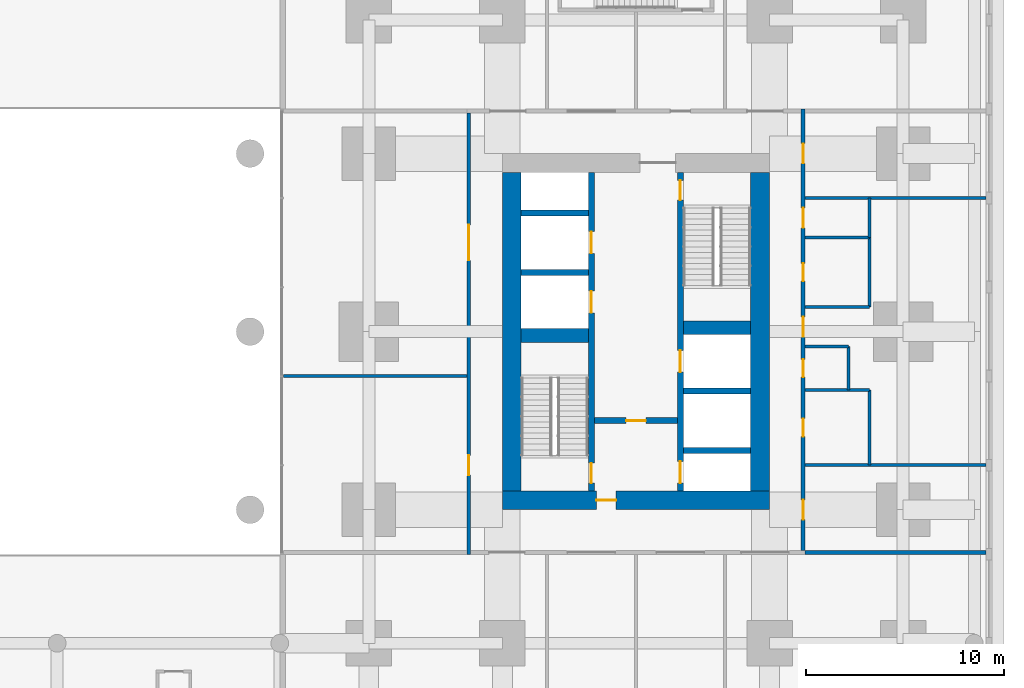
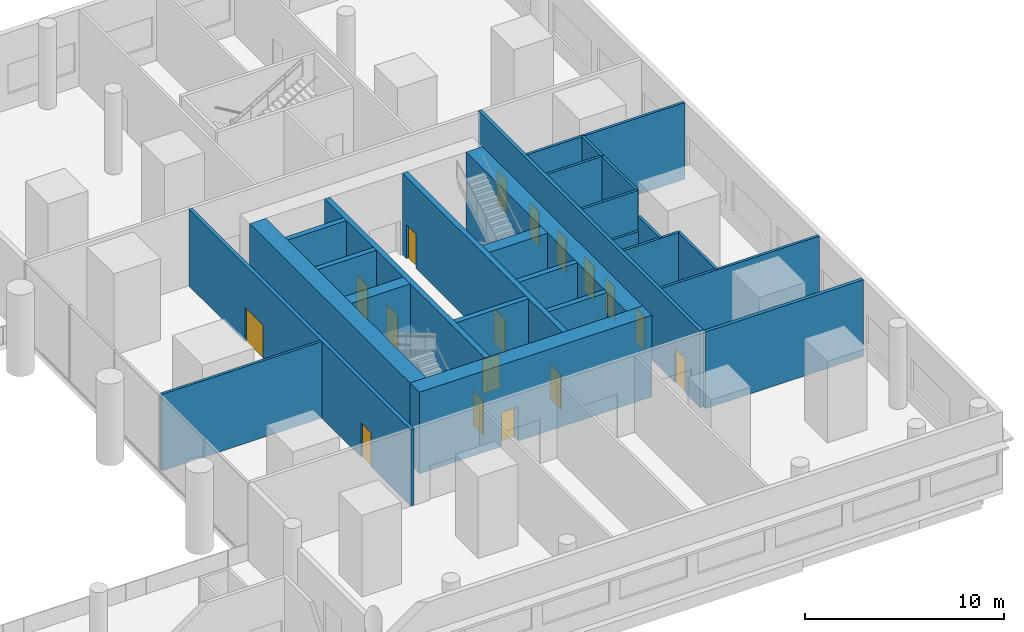
# One storey, part 15 of 20: 26 walls, 17 doors, 17 openings.
"""IFC4 building model written with IfcOpenShell, lengths in metres."""

import ifcopenshell
import ifcopenshell.guid

model = None  # the IFC model being written
_history = None  # IfcOwnerHistory: only IFC2X3 demands one
_inside = {}  # id of a spatial element -> (the spatial element, [elements in it])
_under = {}  # id of a project, library or spatial element -> (it, [spatial elements below it])
_declared = {}  # id of a project -> (the project, [libraries it declares])
_typed = {}  # id of a type object -> (the type object, [elements of that type])
_made_of = {}  # id of a material, layer set ... -> (it, [elements and type objects made of it])


def new_model(schema):
    """Start an empty IFC model of exactly this schema.

    Asked for "IFC4X3", IfcOpenShell would pick the latest addendum, in which some entities
    have other attributes; the version numbers below select the first issue.
    IFC2X3 requires an IfcOwnerHistory on every rooted entity: one is made here for all.
    """
    global model, _history
    if schema == "IFC4X3":
        model = ifcopenshell.file(schema_version=(4, 3, 0, 0))
    else:
        model = ifcopenshell.file(schema=schema)
    _inside.clear()
    _under.clear()
    _declared.clear()
    _typed.clear()
    _made_of.clear()
    _history = None
    if model.schema == "IFC2X3":
        org = make("IfcOrganization", Name="unknown")
        user = make(
            "IfcPersonAndOrganization",
            ThePerson=make("IfcPerson", FamilyName="unknown"),
            TheOrganization=org,
        )
        app = make(
            "IfcApplication",
            ApplicationDeveloper=org,
            Version="unknown",
            ApplicationFullName="unknown",
            ApplicationIdentifier="unknown",
        )
        _history = make(
            "IfcOwnerHistory",
            OwningUser=user,
            OwningApplication=app,
            ChangeAction="ADDED",
            CreationDate=0,
        )
    return model


def make(cls, **values):
    """One entity of the class cls with the attributes given. An attribute that is None is left unset."""
    return model.create_entity(
        cls, **{name: value for name, value in values.items() if value is not None}
    )


def rooted(cls, **values):
    """An entity with a GlobalId (a new one), such as an element, a storey or a relation."""
    return make(cls, GlobalId=ifcopenshell.guid.new(), OwnerHistory=_history, **values)


def si_unit(unit_type, name, prefix=None):
    """IfcSIUnit, for example si_unit("LENGTHUNIT", "METRE", prefix="MILLI")."""
    return make("IfcSIUnit", UnitType=unit_type, Prefix=prefix, Name=name)


def assignment(units):
    """IfcUnitAssignment: the units of a project."""
    return None if units is None else make("IfcUnitAssignment", Units=units)


def point(xyz):
    """IfcCartesianPoint."""
    return None if xyz is None else make("IfcCartesianPoint", Coordinates=xyz)


def direction(xyz):
    """IfcDirection."""
    return None if xyz is None else make("IfcDirection", DirectionRatios=xyz)


def frame(location, z_axis=None, x_axis=None):
    """IfcAxis2Placement3D, a coordinate frame: its origin and axes. An axis left out is left unset."""
    return make(
        "IfcAxis2Placement3D",
        Location=point(location),
        Axis=direction(z_axis),
        RefDirection=direction(x_axis),
    )


def frame_2d(location, x_axis=None):
    """IfcAxis2Placement2D, a coordinate frame in the plane: its origin and x axis."""
    return make(
        "IfcAxis2Placement2D", Location=point(location), RefDirection=direction(x_axis)
    )


def origin():
    """The frame at (0, 0, 0) with its axes left unset."""
    return frame((0.0, 0.0, 0.0))


def place(relative_to, where):
    """IfcLocalPlacement: puts the frame where relative to a parent placement (None: the world)."""
    return make(
        "IfcLocalPlacement", PlacementRelTo=relative_to, RelativePlacement=where
    )


def context(
    kind, dimensions, precision=None, world=None, true_north=None, identifier=None
):
    """IfcGeometricRepresentationContext, for example the 3D "Model" context."""
    return make(
        "IfcGeometricRepresentationContext",
        ContextIdentifier=identifier,
        ContextType=kind,
        CoordinateSpaceDimension=dimensions,
        Precision=precision,
        WorldCoordinateSystem=world,
        TrueNorth=true_north,
    )


def subcontext(parent, identifier, kind, view, scale=None):
    """IfcGeometricRepresentationSubContext, for example "Body" below "Model"."""
    return make(
        "IfcGeometricRepresentationSubContext",
        ContextIdentifier=identifier,
        ContextType=kind,
        ParentContext=parent,
        TargetScale=scale,
        TargetView=view,
    )


def project(units=None, contexts=None):
    """IfcProject with its units and contexts."""
    return rooted(
        "IfcProject",
        Name="project",
        RepresentationContexts=contexts,
        UnitsInContext=assignment(units),
    )


def spatial(cls, under=None, at=None, **own):
    """A site, building, storey or space (cls), placed at a placement, below another one or the project."""
    s = rooted(cls, ObjectPlacement=at, **own)
    if under is not None:
        _under.setdefault(under.id(), (under, []))[1].append(s)
    return s


def profile(cls, at=None, kind="AREA", **sizes):
    """A parametric profile (cls). Its sizes go by their IFC names, for example OverallWidth=200.0."""
    return make(cls, ProfileType=kind, Position=at, **sizes)


def rectangle(**sizes):
    """IfcRectangleProfileDef."""
    return profile("IfcRectangleProfileDef", **sizes)


def extrude(swept, where, along, depth):
    """IfcExtrudedAreaSolid: the profile swept, set in the frame where, extruded along a direction by depth."""
    return make(
        "IfcExtrudedAreaSolid",
        SweptArea=swept,
        Position=where,
        ExtrudedDirection=direction(along),
        Depth=depth,
    )


def shape(context_of_items, identifier, shape_type, items):
    """IfcShapeRepresentation: the items that make up one representation, for example the "Body"."""
    return make(
        "IfcShapeRepresentation",
        ContextOfItems=context_of_items,
        RepresentationIdentifier=identifier,
        RepresentationType=shape_type,
        Items=items,
    )


def material(Name=None, Category=None):
    """IfcMaterial."""
    return make("IfcMaterial", Name=Name, Category=Category)


def layer(
    of_material, thickness, ventilated=None, Name=None, Category=None, Priority=None
):
    """IfcMaterialLayer: one layer of a wall or slab, of a material (None: an air gap)."""
    return make(
        "IfcMaterialLayer",
        Material=of_material,
        LayerThickness=thickness,
        IsVentilated=ventilated,
        Name=Name,
        Category=Category,
        Priority=Priority,
    )


def layer_set(layers, Name=None):
    """IfcMaterialLayerSet."""
    return make("IfcMaterialLayerSet", MaterialLayers=layers, LayerSetName=Name)


def made_of(thing, what):
    """Note that an element or type object is made of a material, layer set ...; save() writes the relation."""
    if what is not None:
        _made_of.setdefault(what.id(), (what, []))[1].append(thing)
    return thing


def type_object(cls, material=None, **own):
    """A type object (cls), such as IfcWallType, which elements share."""
    return made_of(rooted(cls, **own), material)


def element(
    cls,
    number,
    at=None,
    inside=None,
    cuts=None,
    type_object=None,
    material=None,
    context=None,
    identifier="Body",
    shape_type=None,
    held_by="IfcProductDefinitionShape",
    body=None,
    shapes=None,
    **own,
):
    """One element of the class cls, such as IfcWall. Its Tag is "e" and its number.

    at: its placement. inside: the storey or other place that contains it. cuts: it is an
    opening in that element (IfcRelVoidsElement). A single representation is given by context,
    identifier, shape_type and body (its items); several are given by shapes. held_by: the class
    of the entity that holds the representations. save() writes the other relations.
    """
    e = rooted(cls, Tag="e%d" % number, ObjectPlacement=at, **own)
    if body is not None:
        shapes = [shape(context, identifier, shape_type, body)]
    if shapes is not None:
        e.Representation = make(held_by, Representations=shapes)
    if inside is not None:
        _inside.setdefault(inside.id(), (inside, []))[1].append(e)
    if cuts is not None:
        rooted(
            "IfcRelVoidsElement", RelatingBuildingElement=cuts, RelatedOpeningElement=e
        )
    if type_object is not None:
        _typed.setdefault(type_object.id(), (type_object, []))[1].append(e)
    return made_of(e, material)


def fill(opening, filler):
    """IfcRelFillsElement: the door or window that sits in an opening."""
    return rooted(
        "IfcRelFillsElement",
        RelatingOpeningElement=opening,
        RelatedBuildingElement=filler,
    )


def aggregate(whole, parts):
    """IfcRelAggregates: a whole, such as a stair, and the parts it consists of."""
    return rooted("IfcRelAggregates", RelatingObject=whole, RelatedObjects=parts)


def save(model, path):
    """Write the relations noted so far, then the file.

    IfcRelAggregates (storeys below a building ...), IfcRelContainedInSpatialStructure (elements
    in a storey), IfcRelDefinesByType, IfcRelAssociatesMaterial and IfcRelDeclares: one each for
    every whole, place, type object, material and project.
    """
    for whole, parts in _under.values():
        aggregate(whole, parts)
    for where, things in _inside.values():
        rooted(
            "IfcRelContainedInSpatialStructure",
            RelatedElements=things,
            RelatingStructure=where,
        )
    for kind, things in _typed.values():
        rooted("IfcRelDefinesByType", RelatedObjects=things, RelatingType=kind)
    for what, things in _made_of.values():
        rooted("IfcRelAssociatesMaterial", RelatedObjects=things, RelatingMaterial=what)
    for by, libraries in _declared.values():
        rooted("IfcRelDeclares", RelatingContext=by, RelatedDefinitions=libraries)
    model.write(path)


model = new_model("IFC4")

# Units and contexts
model_context = context("Model", 3, precision=1e-05, world=origin(), true_north=direction((0.0, 1.0)))
body_context = subcontext(model_context, "Body", "Model", "MODEL_VIEW")
ifc_project = project(units=[si_unit("LENGTHUNIT", "METRE"), si_unit("AREAUNIT", "SQUARE_METRE"), si_unit("VOLUMEUNIT", "CUBIC_METRE"), si_unit("PLANEANGLEUNIT", "RADIAN"), si_unit("MASSUNIT", "GRAM", prefix="KILO")], contexts=[model_context])

# Site, building, storey
site_placement = place(None, origin())
site = spatial("IfcSite", under=ifc_project, at=site_placement, CompositionType="ELEMENT")
building_placement = place(site_placement, origin())
building = spatial("IfcBuilding", under=site, at=building_placement, Name="Namib Vertical Campus", CompositionType="ELEMENT")
storey_placement = place(building_placement, frame((0.0, 0.0, 16.0)))
storey = spatial("IfcBuildingStorey", under=building, at=storey_placement, Name="L03", CompositionType="ELEMENT", Elevation=16.0)

# Wall, openings, doors
ifc_material_1 = material(Name="Concrete C60/75", Category="concrete")
ifc_layer_1 = layer(ifc_material_1, 0.300048828125)
ifc_layer_set_1 = layer_set([ifc_layer_1], Name="Concrete C60/75")
wall_type_1 = type_object("IfcWallType", Name="Core inner wall 300", PredefinedType="SHEAR", material=ifc_layer_set_1)
wall_1_placement = place(storey_placement, frame((78.75, 12.199951171875, 0.0), z_axis=(0.0, 0.0, 1.0), x_axis=(0.0, 1.0, 0.0)))
wall_1 = element("IfcWall", 1, at=wall_1_placement, inside=storey, type_object=wall_type_1, Name="Core inner wall B L03 W1", PredefinedType="SHEAR", context=body_context, shape_type="SweptSolid", body=[
    extrude(rectangle(XDim=16.10009765625, YDim=0.300048828125, at=frame_2d((8.050048828125, 0.0))), origin(), (0.0, 0.0, 1.0), 5.0),
])
opening_1_placement = place(wall_1_placement, frame((0.39990234375, 0.0, 0.0)))
opening_1 = element("IfcOpeningElement", 2, at=opening_1_placement, cuts=wall_1, Name="Opening FD1", PredefinedType="OPENING", context=body_context, shape_type="SweptSolid", body=[
    extrude(rectangle(XDim=1.0, YDim=2.10009765625, at=frame_2d((0.5, 1.050048828125))), frame((0.0, 0.159912109375, 0.0), z_axis=(0.0, -1.0, 0.0), x_axis=(1.0, 0.0, 0.0)), (0.0, 0.0, 1.0), 0.320068359375),
])
opening_2_placement = place(wall_1_placement, frame((9.0, 0.0, 0.0)))
opening_2 = element("IfcOpeningElement", 3, at=opening_2_placement, cuts=wall_1, Name="Opening LD1", PredefinedType="OPENING", context=body_context, shape_type="SweptSolid", body=[
    extrude(rectangle(XDim=1.10009765625, YDim=2.10009765625, at=frame_2d((0.550048828125, 1.050048828125))), frame((0.0, 0.159912109375, 0.0), z_axis=(0.0, -1.0, 0.0), x_axis=(1.0, 0.0, 0.0)), (0.0, 0.0, 1.0), 0.320068359375),
])
opening_3_placement = place(wall_1_placement, frame((12.0, 0.0, 0.0)))
opening_3 = element("IfcOpeningElement", 4, at=opening_3_placement, cuts=wall_1, Name="Opening LD1", PredefinedType="OPENING", context=body_context, shape_type="SweptSolid", body=[
    extrude(rectangle(XDim=1.10009765625, YDim=2.10009765625, at=frame_2d((0.550048828125, 1.050048828125))), frame((0.0, 0.159912109375, 0.0), z_axis=(0.0, -1.0, 0.0), x_axis=(1.0, 0.0, 0.0)), (0.0, 0.0, 1.0), 0.320068359375),
])
ifc_material_2 = material(Name="Steel fire door", Category="steel")
door_type_1 = type_object("IfcDoorType", Name="Fire door 1000x2100", OperationType="SINGLE_SWING_RIGHT", PredefinedType="DOOR", material=ifc_material_2)
door_1_placement = place(opening_1_placement, origin())
door_1 = element("IfcDoor", 5, at=door_1_placement, inside=storey, type_object=door_type_1, Name="Stair door FD1 B L03 S1", OperationType="SINGLE_SWING_LEFT", OverallHeight=2.10009765625, OverallWidth=1.0, PredefinedType="DOOR", context=body_context, shape_type="SweptSolid", body=[
    extrude(rectangle(XDim=1.0, YDim=2.10009765625, at=frame_2d((0.5, 1.050048828125))), frame((0.0, 0.02490234375, 0.0), z_axis=(0.0, -1.0, 0.0), x_axis=(1.0, 0.0, 0.0)), (0.0, 0.0, 1.0), 0.050048828125),
])
fill(opening_1, door_1)
ifc_material_3 = material(Name="Stainless steel lift door", Category="steel")
door_type_2 = type_object("IfcDoorType", Name="Lift landing door 1100x2100", OperationType="DOUBLE_DOOR_SLIDING", PredefinedType="DOOR", material=ifc_material_3)
door_2_placement = place(opening_2_placement, origin())
door_2 = element("IfcDoor", 6, at=door_2_placement, inside=storey, type_object=door_type_2, Name="Lift landing door LD1 B-P1 L03", OperationType="DOUBLE_DOOR_SLIDING", OverallHeight=2.10009765625, OverallWidth=1.10009765625, PredefinedType="DOOR", context=body_context, shape_type="SweptSolid", body=[
    extrude(rectangle(XDim=1.10009765625, YDim=2.10009765625, at=frame_2d((0.550048828125, 1.050048828125))), frame((0.0, 0.02490234375, 0.0), z_axis=(0.0, -1.0, 0.0), x_axis=(1.0, 0.0, 0.0)), (0.0, 0.0, 1.0), 0.050048828125),
])
fill(opening_2, door_2)
door_3_placement = place(opening_3_placement, origin())
door_3 = element("IfcDoor", 7, at=door_3_placement, inside=storey, type_object=door_type_2, Name="Lift landing door LD1 B-P2 L03", OperationType="DOUBLE_DOOR_SLIDING", OverallHeight=2.10009765625, OverallWidth=1.10009765625, PredefinedType="DOOR", context=body_context, shape_type="SweptSolid", body=[
    extrude(rectangle(XDim=1.10009765625, YDim=2.10009765625, at=frame_2d((0.550048828125, 1.050048828125))), frame((0.0, 0.02490234375, 0.0), z_axis=(0.0, -1.0, 0.0), x_axis=(1.0, 0.0, 0.0)), (0.0, 0.0, 1.0), 0.050048828125),
])
fill(opening_3, door_3)

wall_2_placement = place(storey_placement, frame((83.25, 12.199951171875, 0.0), z_axis=(0.0, 0.0, 1.0), x_axis=(0.0, 1.0, 0.0)))
wall_2 = element("IfcWall", 8, at=wall_2_placement, inside=storey, type_object=wall_type_1, Name="Core inner wall B L03 W2", PredefinedType="SHEAR", context=body_context, shape_type="SweptSolid", body=[
    extrude(rectangle(XDim=16.10009765625, YDim=0.300048828125, at=frame_2d((8.050048828125, 0.0))), origin(), (0.0, 0.0, 1.0), 5.0),
])
opening_4_placement = place(wall_2_placement, frame((14.699951171875, 0.0, 0.0)))
opening_4 = element("IfcOpeningElement", 9, at=opening_4_placement, cuts=wall_2, Name="Opening FD1", PredefinedType="OPENING", context=body_context, shape_type="SweptSolid", body=[
    extrude(rectangle(XDim=1.0, YDim=2.10009765625, at=frame_2d((0.5, 1.050048828125))), frame((0.0, 0.159912109375, 0.0), z_axis=(0.0, -1.0, 0.0), x_axis=(1.0, 0.0, 0.0)), (0.0, 0.0, 1.0), 0.320068359375),
])
opening_5_placement = place(wall_2_placement, frame((0.39990234375, 0.0, 0.0)))
opening_5 = element("IfcOpeningElement", 10, at=opening_5_placement, cuts=wall_2, Name="Opening LD1", PredefinedType="OPENING", context=body_context, shape_type="SweptSolid", body=[
    extrude(rectangle(XDim=1.10009765625, YDim=2.10009765625, at=frame_2d((0.550048828125, 1.050048828125))), frame((0.0, 0.159912109375, 0.0), z_axis=(0.0, -1.0, 0.0), x_axis=(1.0, 0.0, 0.0)), (0.0, 0.0, 1.0), 0.320068359375),
])
opening_6_placement = place(wall_2_placement, frame((6.0, 0.0, 0.0)))
opening_6 = element("IfcOpeningElement", 11, at=opening_6_placement, cuts=wall_2, Name="Opening LD1", PredefinedType="OPENING", context=body_context, shape_type="SweptSolid", body=[
    extrude(rectangle(XDim=1.10009765625, YDim=2.10009765625, at=frame_2d((0.550048828125, 1.050048828125))), frame((0.0, 0.159912109375, 0.0), z_axis=(0.0, -1.0, 0.0), x_axis=(1.0, 0.0, 0.0)), (0.0, 0.0, 1.0), 0.320068359375),
])
door_4_placement = place(opening_4_placement, frame((1.0, 0.0, 0.0), z_axis=(0.0, 0.0, 1.0), x_axis=(-1.0, 0.0, 0.0)))
door_4 = element("IfcDoor", 12, at=door_4_placement, inside=storey, type_object=door_type_1, Name="Stair door FD1 B L03 S2", OperationType="SINGLE_SWING_LEFT", OverallHeight=2.10009765625, OverallWidth=1.0, PredefinedType="DOOR", context=body_context, shape_type="SweptSolid", body=[
    extrude(rectangle(XDim=1.0, YDim=2.10009765625, at=frame_2d((0.5, 1.050048828125))), frame((0.0, 0.02490234375, 0.0), z_axis=(0.0, -1.0, 0.0), x_axis=(1.0, 0.0, 0.0)), (0.0, 0.0, 1.0), 0.050048828125),
])
fill(opening_4, door_4)
door_5_placement = place(opening_5_placement, origin())
door_5 = element("IfcDoor", 13, at=door_5_placement, inside=storey, type_object=door_type_2, Name="Lift landing door LD1 B-FL1 L03", OperationType="DOUBLE_DOOR_SLIDING", OverallHeight=2.10009765625, OverallWidth=1.10009765625, PredefinedType="DOOR", context=body_context, shape_type="SweptSolid", body=[
    extrude(rectangle(XDim=1.10009765625, YDim=2.10009765625, at=frame_2d((0.550048828125, 1.050048828125))), frame((0.0, 0.02490234375, 0.0), z_axis=(0.0, -1.0, 0.0), x_axis=(1.0, 0.0, 0.0)), (0.0, 0.0, 1.0), 0.050048828125),
])
fill(opening_5, door_5)
door_6_placement = place(opening_6_placement, origin())
door_6 = element("IfcDoor", 14, at=door_6_placement, inside=storey, type_object=door_type_2, Name="Lift landing door LD1 B-P5 L03", OperationType="DOUBLE_DOOR_SLIDING", OverallHeight=2.10009765625, OverallWidth=1.10009765625, PredefinedType="DOOR", context=body_context, shape_type="SweptSolid", body=[
    extrude(rectangle(XDim=1.10009765625, YDim=2.10009765625, at=frame_2d((0.550048828125, 1.050048828125))), frame((0.0, 0.02490234375, 0.0), z_axis=(0.0, -1.0, 0.0), x_axis=(1.0, 0.0, 0.0)), (0.0, 0.0, 1.0), 0.050048828125),
])
fill(opening_6, door_6)

# Wall, opening, door
wall_3_placement = place(storey_placement, frame((78.89990234375, 15.75, 0.0), z_axis=(0.0, 0.0, 1.0), x_axis=(1.0, 0.0, 0.0)))
wall_3 = element("IfcWall", 15, at=wall_3_placement, inside=storey, type_object=wall_type_1, Name="Core inner wall B L03 W4", PredefinedType="SHEAR", context=body_context, shape_type="SweptSolid", body=[
    extrude(rectangle(XDim=4.2001953125, YDim=0.300048828125, at=frame_2d((2.10009765625, 0.0))), origin(), (0.0, 0.0, 1.0), 5.0),
])
opening_7_placement = place(wall_3_placement, frame((1.60009765625, 0.0, 0.0)))
opening_7 = element("IfcOpeningElement", 16, at=opening_7_placement, cuts=wall_3, Name="Opening FD5", PredefinedType="OPENING", context=body_context, shape_type="SweptSolid", body=[
    extrude(rectangle(XDim=1.0, YDim=2.10009765625, at=frame_2d((0.5, 1.050048828125))), frame((0.0, 0.159912109375, 0.0), z_axis=(0.0, -1.0, 0.0), x_axis=(1.0, 0.0, 0.0)), (0.0, 0.0, 1.0), 0.320068359375),
])
ifc_material_4 = material(Name="Steel fire door", Category="steel")
door_type_3 = type_object("IfcDoorType", Name="Fire door 1000x2100 120 min", OperationType="SINGLE_SWING_RIGHT", PredefinedType="DOOR", material=ifc_material_4)
door_7_placement = place(opening_7_placement, frame((1.0, 0.0, 0.0), z_axis=(0.0, 0.0, 1.0), x_axis=(-1.0, 0.0, 0.0)))
door_7 = element("IfcDoor", 17, at=door_7_placement, inside=storey, type_object=door_type_3, Name="Lobby door FD5 B L03", OperationType="SINGLE_SWING_RIGHT", OverallHeight=2.10009765625, OverallWidth=1.0, PredefinedType="DOOR", context=body_context, shape_type="SweptSolid", body=[
    extrude(rectangle(XDim=1.0, YDim=2.10009765625, at=frame_2d((0.5, 1.050048828125))), frame((0.0, 0.02490234375, 0.0), z_axis=(0.0, -1.0, 0.0), x_axis=(1.0, 0.0, 0.0)), (0.0, 0.0, 1.0), 0.050048828125),
])
fill(opening_7, door_7)

# Walls
for number, where, z_axis, x_axis, name in (
    (18, (83.39990234375, 14.25, 0.0), (0.0, 0.0, 1.0), (1.0, 0.0, 0.0), "Core inner wall B L03 W5"),
    (19, (83.39990234375, 17.25, 0.0), (0.0, 0.0, 1.0), (1.0, 0.0, 0.0), "Core inner wall B L03 W6"),
    (20, (75.199951171875, 23.25, 0.0), (0.0, 0.0, 1.0), (1.0, 0.0, 0.0), "Core inner wall B L03 W8"),
    (21, (75.199951171875, 26.25, 0.0), (0.0, 0.0, 1.0), (1.0, 0.0, 0.0), "Core inner wall B L03 W9"),
):
    element("IfcWall", number, at=place(storey_placement, frame(where, z_axis=z_axis, x_axis=x_axis)), inside=storey, type_object=wall_type_1, Name=name, PredefinedType="SHEAR", context=body_context, shape_type="SweptSolid", body=[
        extrude(rectangle(XDim=3.400146484375, YDim=0.300048828125, at=frame_2d((1.7001953125, 0.0))), origin(), (0.0, 0.0, 1.0), 5.0),
    ])
ifc_material_5 = material(Name="Concrete C60/75", Category="concrete")
ifc_layer_2 = layer(ifc_material_5, 0.699951171875)
ifc_layer_set_2 = layer_set([ifc_layer_2], Name="Concrete C60/75")
wall_type_2 = type_object("IfcWallType", Name="Core shear wall 700", PredefinedType="SHEAR", material=ifc_layer_set_2)
for number, where, z_axis, x_axis, name in (
    (22, (75.199951171875, 20.050048828125, 0.0), (0.0, 0.0, 1.0), (1.0, 0.0, 0.0), "Core shear wall B L03 W3"),
    (23, (83.39990234375, 20.449951171875, 0.0), (0.0, 0.0, 1.0), (1.0, 0.0, 0.0), "Core shear wall B L03 W7"),
):
    element("IfcWall", number, at=place(storey_placement, frame(where, z_axis=z_axis, x_axis=x_axis)), inside=storey, type_object=wall_type_2, Name=name, PredefinedType="SHEAR", context=body_context, shape_type="SweptSolid", body=[
        extrude(rectangle(XDim=3.400146484375, YDim=0.699951171875, at=frame_2d((1.7001953125, 0.0))), origin(), (0.0, 0.0, 1.0), 5.0),
    ])

# Wall, opening, door
ifc_material_6 = material(Name="Concrete C60/75", Category="concrete")
ifc_layer_3 = layer(ifc_material_6, 0.949951171875)
ifc_layer_set_3 = layer_set([ifc_layer_3], Name="Concrete C60/75")
wall_type_3 = type_object("IfcWallType", Name="Core wall 950", PredefinedType="SHEAR", material=ifc_layer_set_3)
wall_4_placement = place(storey_placement, frame((74.25, 11.72509765625, 0.0), z_axis=(0.0, 0.0, 1.0), x_axis=(1.0, 0.0, 0.0)))
wall_4 = element("IfcWall", 24, at=wall_4_placement, inside=storey, type_object=wall_type_3, Name="Core wall B L03 1", PredefinedType="SHEAR", context=body_context, shape_type="SweptSolid", body=[
    extrude(rectangle(XDim=13.5, YDim=0.949951171875, at=frame_2d((6.75, 0.0))), origin(), (0.0, 0.0, 1.0), 5.0),
])
opening_8_placement = place(wall_4_placement, frame((4.75, 0.0, 0.0)))
opening_8 = element("IfcOpeningElement", 25, at=opening_8_placement, cuts=wall_4, Name="Opening FD5", PredefinedType="OPENING", context=body_context, shape_type="SweptSolid", body=[
    extrude(rectangle(XDim=1.0, YDim=2.10009765625, at=frame_2d((0.5, 1.050048828125))), frame((0.0, 0.48486328125, 0.0), z_axis=(0.0, -1.0, 0.0), x_axis=(1.0, 0.0, 0.0)), (0.0, 0.0, 1.0), 0.969970703125),
])
door_8_placement = place(opening_8_placement, origin())
door_8 = element("IfcDoor", 26, at=door_8_placement, inside=storey, type_object=door_type_3, Name="Firefighting lobby door FD5 B L03", OperationType="SINGLE_SWING_LEFT", OverallHeight=2.10009765625, OverallWidth=1.0, PredefinedType="DOOR", context=body_context, shape_type="SweptSolid", body=[
    extrude(rectangle(XDim=1.0, YDim=2.10009765625, at=frame_2d((0.5, 1.050048828125))), frame((0.0, 0.02490234375, 0.0), z_axis=(0.0, -1.0, 0.0), x_axis=(1.0, 0.0, 0.0)), (0.0, 0.0, 1.0), 0.050048828125),
])
fill(opening_8, door_8)

# Walls
for number, where, z_axis, x_axis, name in (
    (27, (87.27490234375, 12.199951171875, 0.0), (0.0, 0.0, 1.0), (0.0, 1.0, 0.0), "Core wall B L03 2"),
    (28, (74.72509765625, 28.300048828125, 0.0), (0.0, 0.0, 1.0), (0.0, -1.0, 0.0), "Core wall B L03 4"),
):
    element("IfcWall", number, at=place(storey_placement, frame(where, z_axis=z_axis, x_axis=x_axis)), inside=storey, type_object=wall_type_3, Name=name, PredefinedType="SHEAR", context=body_context, shape_type="SweptSolid", body=[
        extrude(rectangle(XDim=16.10009765625, YDim=0.949951171875, at=frame_2d((8.050048828125, 0.0))), origin(), (0.0, 0.0, 1.0), 5.0),
    ])

# Wall, openings, doors
ifc_material_7 = material(Name="Concrete masonry", Category="masonry")
ifc_layer_4 = layer(ifc_material_7, 0.199951171875)
ifc_layer_set_4 = layer_set([ifc_layer_4], Name="Corridor wall 200")
wall_type_4 = type_object("IfcWallType", Name="Corridor wall 200", PredefinedType="SOLIDWALL", material=ifc_layer_set_4)
wall_5_placement = place(storey_placement, frame((89.449951171875, 9.199951171875, 0.0), z_axis=(0.0, 0.0, 1.0), x_axis=(0.0, 1.0, 0.0)))
wall_5 = element("IfcWall", 29, at=wall_5_placement, inside=storey, type_object=wall_type_4, Name="Corridor wall B L03 CE", PredefinedType="SOLIDWALL", context=body_context, shape_type="SweptSolid", body=[
    extrude(rectangle(XDim=22.300048828125, YDim=0.199951171875, at=frame_2d((11.14990234375, 0.0))), origin(), (0.0, 0.0, 1.0), 4.699951171875),
])
opening_9_placement = place(wall_5_placement, frame((1.550048828125, 0.0, 0.0)))
opening_9 = element("IfcOpeningElement", 30, at=opening_9_placement, cuts=wall_5, Name="Opening CD1", PredefinedType="OPENING", context=body_context, shape_type="SweptSolid", body=[
    extrude(rectangle(XDim=1.0, YDim=2.10009765625, at=frame_2d((0.5, 1.050048828125))), frame((0.0, 0.10986328125, 0.0), z_axis=(0.0, -1.0, 0.0), x_axis=(1.0, 0.0, 0.0)), (0.0, 0.0, 1.0), 0.219970703125),
])
opening_10_placement = place(wall_5_placement, frame((5.75, 0.0, 0.0)))
opening_10 = element("IfcOpeningElement", 31, at=opening_10_placement, cuts=wall_5, Name="Opening CD3", PredefinedType="OPENING", context=body_context, shape_type="SweptSolid", body=[
    extrude(rectangle(XDim=0.89990234375, YDim=2.10009765625, at=frame_2d((0.449951171875, 1.050048828125))), frame((0.0, 0.10986328125, 0.0), z_axis=(0.0, -1.0, 0.0), x_axis=(1.0, 0.0, 0.0)), (0.0, 0.0, 1.0), 0.219970703125),
])
opening_11_placement = place(wall_5_placement, frame((8.75, 0.0, 0.0)))
opening_11 = element("IfcOpeningElement", 32, at=opening_11_placement, cuts=wall_5, Name="Opening CD3", PredefinedType="OPENING", context=body_context, shape_type="SweptSolid", body=[
    extrude(rectangle(XDim=0.89990234375, YDim=2.10009765625, at=frame_2d((0.449951171875, 1.050048828125))), frame((0.0, 0.10986328125, 0.0), z_axis=(0.0, -1.0, 0.0), x_axis=(1.0, 0.0, 0.0)), (0.0, 0.0, 1.0), 0.219970703125),
])
opening_12_placement = place(wall_5_placement, frame((13.60009765625, 0.0, 0.0)))
opening_12 = element("IfcOpeningElement", 33, at=opening_12_placement, cuts=wall_5, Name="Opening CD3", PredefinedType="OPENING", context=body_context, shape_type="SweptSolid", body=[
    extrude(rectangle(XDim=0.89990234375, YDim=2.10009765625, at=frame_2d((0.449951171875, 1.050048828125))), frame((0.0, 0.10986328125, 0.0), z_axis=(0.0, -1.0, 0.0), x_axis=(1.0, 0.0, 0.0)), (0.0, 0.0, 1.0), 0.219970703125),
])
opening_13_placement = place(wall_5_placement, frame((16.300048828125, 0.0, 0.0)))
opening_13 = element("IfcOpeningElement", 34, at=opening_13_placement, cuts=wall_5, Name="Opening CD1", PredefinedType="OPENING", context=body_context, shape_type="SweptSolid", body=[
    extrude(rectangle(XDim=1.0, YDim=2.10009765625, at=frame_2d((0.5, 1.050048828125))), frame((0.0, 0.10986328125, 0.0), z_axis=(0.0, -1.0, 0.0), x_axis=(1.0, 0.0, 0.0)), (0.0, 0.0, 1.0), 0.219970703125),
])
opening_14_placement = place(wall_5_placement, frame((10.800048828125, 0.0, 0.0)))
opening_14 = element("IfcOpeningElement", 35, at=opening_14_placement, cuts=wall_5, Name="Opening CD1", PredefinedType="OPENING", context=body_context, shape_type="SweptSolid", body=[
    extrude(rectangle(XDim=1.0, YDim=2.10009765625, at=frame_2d((0.5, 1.050048828125))), frame((0.0, 0.10986328125, 0.0), z_axis=(0.0, -1.0, 0.0), x_axis=(1.0, 0.0, 0.0)), (0.0, 0.0, 1.0), 0.219970703125),
])
opening_15_placement = place(wall_5_placement, frame((19.550048828125, 0.0, 0.0)))
opening_15 = element("IfcOpeningElement", 36, at=opening_15_placement, cuts=wall_5, Name="Opening CD1", PredefinedType="OPENING", context=body_context, shape_type="SweptSolid", body=[
    extrude(rectangle(XDim=1.0, YDim=2.10009765625, at=frame_2d((0.5, 1.050048828125))), frame((0.0, 0.10986328125, 0.0), z_axis=(0.0, -1.0, 0.0), x_axis=(1.0, 0.0, 0.0)), (0.0, 0.0, 1.0), 0.219970703125),
])
ifc_material_8 = material(Name="Timber fire door leaf", Category="wood")
door_type_4 = type_object("IfcDoorType", Name="Corridor door 1000x2100 20 min", OperationType="SINGLE_SWING_LEFT", PredefinedType="DOOR", material=ifc_material_8)
door_9_placement = place(opening_9_placement, frame((1.0, 0.0, 0.0), z_axis=(0.0, 0.0, 1.0), x_axis=(-1.0, 0.0, 0.0)))
door_9 = element("IfcDoor", 37, at=door_9_placement, inside=storey, type_object=door_type_4, Name="Door CD1 B03-05", OperationType="SINGLE_SWING_RIGHT", OverallHeight=2.10009765625, OverallWidth=1.0, PredefinedType="DOOR", context=body_context, shape_type="SweptSolid", body=[
    extrude(rectangle(XDim=1.0, YDim=2.10009765625, at=frame_2d((0.5, 1.050048828125))), frame((0.0, 0.02490234375, 0.0), z_axis=(0.0, -1.0, 0.0), x_axis=(1.0, 0.0, 0.0)), (0.0, 0.0, 1.0), 0.050048828125),
])
fill(opening_9, door_9)
door_10_placement = place(opening_13_placement, frame((1.0, 0.0, 0.0), z_axis=(0.0, 0.0, 1.0), x_axis=(-1.0, 0.0, 0.0)))
door_10 = element("IfcDoor", 38, at=door_10_placement, inside=storey, type_object=door_type_4, Name="Door CD1 B03-09", OperationType="SINGLE_SWING_RIGHT", OverallHeight=2.10009765625, OverallWidth=1.0, PredefinedType="DOOR", context=body_context, shape_type="SweptSolid", body=[
    extrude(rectangle(XDim=1.0, YDim=2.10009765625, at=frame_2d((0.5, 1.050048828125))), frame((0.0, 0.02490234375, 0.0), z_axis=(0.0, -1.0, 0.0), x_axis=(1.0, 0.0, 0.0)), (0.0, 0.0, 1.0), 0.050048828125),
])
fill(opening_13, door_10)
door_11_placement = place(opening_14_placement, frame((1.0, 0.0, 0.0), z_axis=(0.0, 0.0, 1.0), x_axis=(-1.0, 0.0, 0.0)))
door_11 = element("IfcDoor", 39, at=door_11_placement, inside=storey, type_object=door_type_4, Name="Door CD1 B03-10", OperationType="SINGLE_SWING_RIGHT", OverallHeight=2.10009765625, OverallWidth=1.0, PredefinedType="DOOR", context=body_context, shape_type="SweptSolid", body=[
    extrude(rectangle(XDim=1.0, YDim=2.10009765625, at=frame_2d((0.5, 1.050048828125))), frame((0.0, 0.02490234375, 0.0), z_axis=(0.0, -1.0, 0.0), x_axis=(1.0, 0.0, 0.0)), (0.0, 0.0, 1.0), 0.050048828125),
])
fill(opening_14, door_11)
door_12_placement = place(opening_15_placement, frame((1.0, 0.0, 0.0), z_axis=(0.0, 0.0, 1.0), x_axis=(-1.0, 0.0, 0.0)))
door_12 = element("IfcDoor", 40, at=door_12_placement, inside=storey, type_object=door_type_4, Name="Door CD1 B03-11", OperationType="SINGLE_SWING_RIGHT", OverallHeight=2.10009765625, OverallWidth=1.0, PredefinedType="DOOR", context=body_context, shape_type="SweptSolid", body=[
    extrude(rectangle(XDim=1.0, YDim=2.10009765625, at=frame_2d((0.5, 1.050048828125))), frame((0.0, 0.02490234375, 0.0), z_axis=(0.0, -1.0, 0.0), x_axis=(1.0, 0.0, 0.0)), (0.0, 0.0, 1.0), 0.050048828125),
])
fill(opening_15, door_12)
ifc_material_9 = material(Name="Timber fire door leaf", Category="wood")
door_type_5 = type_object("IfcDoorType", Name="Corridor toilet door 900x2100 20 min", OperationType="SINGLE_SWING_LEFT", PredefinedType="DOOR", material=ifc_material_9)
door_13_placement = place(opening_10_placement, frame((0.89990234375, 0.0, 0.0), z_axis=(0.0, 0.0, 1.0), x_axis=(-1.0, 0.0, 0.0)))
door_13 = element("IfcDoor", 41, at=door_13_placement, inside=storey, type_object=door_type_5, Name="Door CD3 B03-06", OperationType="SINGLE_SWING_RIGHT", OverallHeight=2.10009765625, OverallWidth=0.89990234375, PredefinedType="DOOR", context=body_context, shape_type="SweptSolid", body=[
    extrude(rectangle(XDim=0.89990234375, YDim=2.10009765625, at=frame_2d((0.449951171875, 1.050048828125))), frame((0.0, 0.02490234375, 0.0), z_axis=(0.0, -1.0, 0.0), x_axis=(1.0, 0.0, 0.0)), (0.0, 0.0, 1.0), 0.050048828125),
])
fill(opening_10, door_13)
door_14_placement = place(opening_11_placement, frame((0.89990234375, 0.0, 0.0), z_axis=(0.0, 0.0, 1.0), x_axis=(-1.0, 0.0, 0.0)))
door_14 = element("IfcDoor", 42, at=door_14_placement, inside=storey, type_object=door_type_5, Name="Door CD3 B03-07", OperationType="SINGLE_SWING_RIGHT", OverallHeight=2.10009765625, OverallWidth=0.89990234375, PredefinedType="DOOR", context=body_context, shape_type="SweptSolid", body=[
    extrude(rectangle(XDim=0.89990234375, YDim=2.10009765625, at=frame_2d((0.449951171875, 1.050048828125))), frame((0.0, 0.02490234375, 0.0), z_axis=(0.0, -1.0, 0.0), x_axis=(1.0, 0.0, 0.0)), (0.0, 0.0, 1.0), 0.050048828125),
])
fill(opening_11, door_14)
door_15_placement = place(opening_12_placement, frame((0.89990234375, 0.0, 0.0), z_axis=(0.0, 0.0, 1.0), x_axis=(-1.0, 0.0, 0.0)))
door_15 = element("IfcDoor", 43, at=door_15_placement, inside=storey, type_object=door_type_5, Name="Door CD3 B03-08", OperationType="SINGLE_SWING_RIGHT", OverallHeight=2.10009765625, OverallWidth=0.89990234375, PredefinedType="DOOR", context=body_context, shape_type="SweptSolid", body=[
    extrude(rectangle(XDim=0.89990234375, YDim=2.10009765625, at=frame_2d((0.449951171875, 1.050048828125))), frame((0.0, 0.02490234375, 0.0), z_axis=(0.0, -1.0, 0.0), x_axis=(1.0, 0.0, 0.0)), (0.0, 0.0, 1.0), 0.050048828125),
])
fill(opening_12, door_15)

wall_6_placement = place(storey_placement, frame((72.550048828125, 31.300048828125, 0.0), z_axis=(0.0, 0.0, 1.0), x_axis=(0.0, -1.0, 0.0)))
wall_6 = element("IfcWall", 44, at=wall_6_placement, inside=storey, type_object=wall_type_4, Name="Corridor wall B L03 CW", PredefinedType="SOLIDWALL", context=body_context, shape_type="SweptSolid", body=[
    extrude(rectangle(XDim=22.300048828125, YDim=0.199951171875, at=frame_2d((11.14990234375, 0.0))), origin(), (0.0, 0.0, 1.0), 4.699951171875),
])
opening_16_placement = place(wall_6_placement, frame((17.300048828125, 0.0, 0.0)))
opening_16 = element("IfcOpeningElement", 45, at=opening_16_placement, cuts=wall_6, Name="Opening CD1", PredefinedType="OPENING", context=body_context, shape_type="SweptSolid", body=[
    extrude(rectangle(XDim=1.0, YDim=2.10009765625, at=frame_2d((0.5, 1.050048828125))), frame((0.0, 0.10986328125, 0.0), z_axis=(0.0, -1.0, 0.0), x_axis=(1.0, 0.0, 0.0)), (0.0, 0.0, 1.0), 0.219970703125),
])
opening_17_placement = place(wall_6_placement, frame((5.64990234375, 0.0, 0.0)))
opening_17 = element("IfcOpeningElement", 46, at=opening_17_placement, cuts=wall_6, Name="Opening CD2", PredefinedType="OPENING", context=body_context, shape_type="SweptSolid", body=[
    extrude(rectangle(XDim=1.800048828125, YDim=2.10009765625, at=frame_2d((0.89990234375, 1.050048828125))), frame((0.0, 0.10986328125, 0.0), z_axis=(0.0, -1.0, 0.0), x_axis=(1.0, 0.0, 0.0)), (0.0, 0.0, 1.0), 0.219970703125),
])
door_16_placement = place(opening_16_placement, frame((1.0, 0.0, 0.0), z_axis=(0.0, 0.0, 1.0), x_axis=(-1.0, 0.0, 0.0)))
door_16 = element("IfcDoor", 47, at=door_16_placement, inside=storey, type_object=door_type_4, Name="Door CD1 B03-15", OperationType="SINGLE_SWING_RIGHT", OverallHeight=2.10009765625, OverallWidth=1.0, PredefinedType="DOOR", context=body_context, shape_type="SweptSolid", body=[
    extrude(rectangle(XDim=1.0, YDim=2.10009765625, at=frame_2d((0.5, 1.050048828125))), frame((0.0, 0.02490234375, 0.0), z_axis=(0.0, -1.0, 0.0), x_axis=(1.0, 0.0, 0.0)), (0.0, 0.0, 1.0), 0.050048828125),
])
fill(opening_16, door_16)
ifc_material_10 = material(Name="Timber fire door leaf", Category="wood")
door_type_6 = type_object("IfcDoorType", Name="Corridor door double 1800x2100 20 min", OperationType="DOUBLE_DOOR_SINGLE_SWING", PredefinedType="DOOR", material=ifc_material_10)
door_17_placement = place(opening_17_placement, frame((1.800048828125, 0.0, 0.0), z_axis=(0.0, 0.0, 1.0), x_axis=(-1.0, 0.0, 0.0)))
door_17 = element("IfcDoor", 48, at=door_17_placement, inside=storey, type_object=door_type_6, Name="Door CD2 B03-16", OperationType="DOUBLE_DOOR_SINGLE_SWING", OverallHeight=2.10009765625, OverallWidth=1.800048828125, PredefinedType="DOOR", context=body_context, shape_type="SweptSolid", body=[
    extrude(rectangle(XDim=1.800048828125, YDim=2.10009765625, at=frame_2d((0.89990234375, 1.050048828125))), frame((0.0, 0.02490234375, 0.0), z_axis=(0.0, -1.0, 0.0), x_axis=(1.0, 0.0, 0.0)), (0.0, 0.0, 1.0), 0.050048828125),
])
fill(opening_17, door_17)

# Walls
wall_7_placement = place(storey_placement, frame((89.550048828125, 9.10009765625, 0.0), z_axis=(0.0, 0.0, 1.0), x_axis=(1.0, 0.0, 0.0)))
element("IfcWall", 49, at=wall_7_placement, inside=storey, type_object=wall_type_4, Name="Partition B L03 BSE", PredefinedType="SOLIDWALL", context=body_context, shape_type="SweptSolid", body=[
    extrude(rectangle(XDim=9.14990234375, YDim=0.199951171875, at=frame_2d((4.574951171875, 0.0))), origin(), (0.0, 0.0, 1.0), 4.699951171875),
])
ifc_material_11 = material(Name="Gypsum board on steel studs", Category="steel")
ifc_layer_5 = layer(ifc_material_11, 0.14990234375)
ifc_layer_set_5 = layer_set([ifc_layer_5], Name="Gypsum board on steel studs")
wall_type_5 = type_object("IfcWallType", Name="Partition 150", PredefinedType="PARTITIONING", material=ifc_layer_set_5)
for number, where, z_axis, x_axis, name in (
    (50, (89.550048828125, 13.5, 0.0), (0.0, 0.0, 1.0), (1.0, 0.0, 0.0), "Partition B L03 PE1"),
    (51, (89.550048828125, 27.0, 0.0), (0.0, 0.0, 1.0), (1.0, 0.0, 0.0), "Partition B L03 PE2"),
):
    element("IfcWall", number, at=place(storey_placement, frame(where, z_axis=z_axis, x_axis=x_axis)), inside=storey, type_object=wall_type_5, Name=name, PredefinedType="PARTITIONING", context=body_context, shape_type="SweptSolid", body=[
        extrude(rectangle(XDim=9.14990234375, YDim=0.14990234375, at=frame_2d((4.574951171875, 0.0))), origin(), (0.0, 0.0, 1.0), 4.699951171875),
    ])
wall_8_placement = place(storey_placement, frame((63.179931640625, 18.0, 0.0), z_axis=(0.0, 0.0, 1.0), x_axis=(1.0, 0.0, 0.0)))
element("IfcWall", 52, at=wall_8_placement, inside=storey, type_object=wall_type_5, Name="Partition B L03 PW1", PredefinedType="PARTITIONING", context=body_context, shape_type="SweptSolid", body=[
    extrude(rectangle(XDim=9.27001953125, YDim=0.14990234375, at=frame_2d((4.635009765625, 0.0))), origin(), (0.0, 0.0, 1.0), 4.699951171875),
])
wall_9_placement = place(storey_placement, frame((89.550048828125, 17.300048828125, 0.0), z_axis=(0.0, 0.0, 1.0), x_axis=(1.0, 0.0, 0.0)))
element("IfcWall", 53, at=wall_9_placement, inside=storey, type_object=wall_type_5, Name="Partition B L03 WR1", PredefinedType="PARTITIONING", context=body_context, shape_type="SweptSolid", body=[
    extrude(rectangle(XDim=3.25, YDim=0.14990234375, at=frame_2d((1.625, 0.0))), origin(), (0.0, 0.0, 1.0), 4.699951171875),
])
wall_10_placement = place(storey_placement, frame((89.550048828125, 19.5, 0.0), z_axis=(0.0, 0.0, 1.0), x_axis=(1.0, 0.0, 0.0)))
element("IfcWall", 54, at=wall_10_placement, inside=storey, type_object=wall_type_5, Name="Partition B L03 WR2", PredefinedType="PARTITIONING", context=body_context, shape_type="SweptSolid", body=[
    extrude(rectangle(XDim=2.199951171875, YDim=0.14990234375, at=frame_2d((1.10009765625, 0.0))), origin(), (0.0, 0.0, 1.0), 3.800048828125),
])
for number, where, z_axis, x_axis, name in (
    (55, (89.550048828125, 21.5, 0.0), (0.0, 0.0, 1.0), (1.0, 0.0, 0.0), "Partition B L03 WR3"),
    (56, (89.550048828125, 25.0, 0.0), (0.0, 0.0, 1.0), (1.0, 0.0, 0.0), "Partition B L03 WR4"),
):
    element("IfcWall", number, at=place(storey_placement, frame(where, z_axis=z_axis, x_axis=x_axis)), inside=storey, type_object=wall_type_5, Name=name, PredefinedType="PARTITIONING", context=body_context, shape_type="SweptSolid", body=[
        extrude(rectangle(XDim=3.25, YDim=0.14990234375, at=frame_2d((1.625, 0.0))), origin(), (0.0, 0.0, 1.0), 4.699951171875),
    ])
wall_11_placement = place(storey_placement, frame((92.800048828125, 13.5, 0.0), z_axis=(0.0, 0.0, 1.0), x_axis=(0.0, 1.0, 0.0)))
element("IfcWall", 57, at=wall_11_placement, inside=storey, type_object=wall_type_5, Name="Partition B L03 WB1", PredefinedType="PARTITIONING", context=body_context, shape_type="SweptSolid", body=[
    extrude(rectangle(XDim=3.800048828125, YDim=0.14990234375, at=frame_2d((1.89990234375, 0.0))), origin(), (0.0, 0.0, 1.0), 4.699951171875),
])
wall_12_placement = place(storey_placement, frame((91.75, 17.300048828125, 0.0), z_axis=(0.0, 0.0, 1.0), x_axis=(0.0, 1.0, 0.0)))
element("IfcWall", 58, at=wall_12_placement, inside=storey, type_object=wall_type_5, Name="Partition B L03 WB2", PredefinedType="PARTITIONING", context=body_context, shape_type="SweptSolid", body=[
    extrude(rectangle(XDim=2.199951171875, YDim=0.14990234375, at=frame_2d((1.10009765625, 0.0))), origin(), (0.0, 0.0, 1.0), 4.699951171875),
])
wall_13_placement = place(storey_placement, frame((92.800048828125, 21.5, 0.0), z_axis=(0.0, 0.0, 1.0), x_axis=(0.0, 1.0, 0.0)))
element("IfcWall", 59, at=wall_13_placement, inside=storey, type_object=wall_type_5, Name="Partition B L03 WB3", PredefinedType="PARTITIONING", context=body_context, shape_type="SweptSolid", body=[
    extrude(rectangle(XDim=3.5, YDim=0.14990234375, at=frame_2d((1.75, 0.0))), origin(), (0.0, 0.0, 1.0), 4.699951171875),
])
wall_14_placement = place(storey_placement, frame((92.800048828125, 25.0, 0.0), z_axis=(0.0, 0.0, 1.0), x_axis=(0.0, 1.0, 0.0)))
element("IfcWall", 60, at=wall_14_placement, inside=storey, type_object=wall_type_5, Name="Partition B L03 WB4", PredefinedType="PARTITIONING", context=body_context, shape_type="SweptSolid", body=[
    extrude(rectangle(XDim=2.0, YDim=0.14990234375, at=frame_2d((1.0, 0.0))), origin(), (0.0, 0.0, 1.0), 4.699951171875),
])

save(model, "model.ifc")
